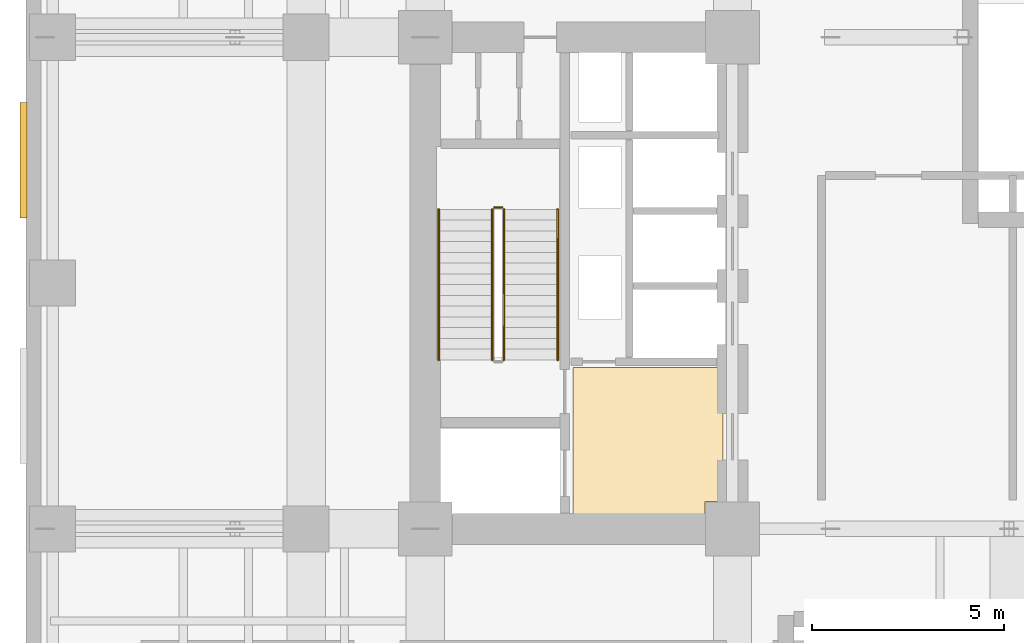
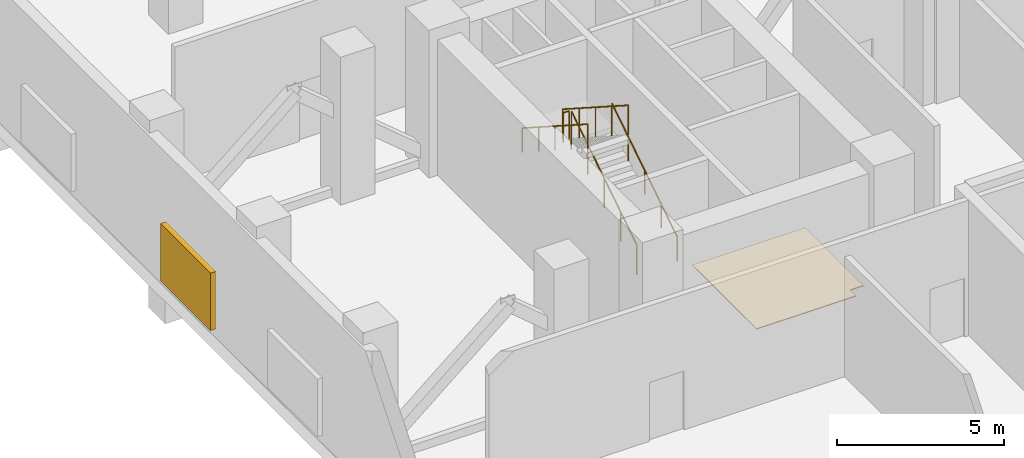
# One storey, part 11 of 13: 5 railings, 1 covering, 1 shading device.
"""IFC4 building model written with IfcOpenShell, lengths in metres."""

from ifc_helpers import new_model, si_unit, direction, frame, origin, origin_2d, place, context, subcontext, project, spatial, polyline, rectangle, circle, outline, extrude, material, layer, layer_set, type_object, element, save


model = new_model("IFC4")

# Units and contexts
model_context = context("Model", 3, precision=1e-05, world=origin(), true_north=direction((0.0, 1.0)))
body_context = subcontext(model_context, "Body", "Model", "MODEL_VIEW")
ifc_project = project(units=[si_unit("LENGTHUNIT", "METRE"), si_unit("AREAUNIT", "SQUARE_METRE"), si_unit("VOLUMEUNIT", "CUBIC_METRE"), si_unit("PLANEANGLEUNIT", "RADIAN"), si_unit("MASSUNIT", "GRAM", prefix="KILO")], contexts=[model_context])

# Site, building, storey
site_placement = place(None, origin())
site = spatial("IfcSite", under=ifc_project, at=site_placement, CompositionType="ELEMENT")
building_placement = place(site_placement, origin())
building = spatial("IfcBuilding", under=site, at=building_placement, Name="Kranthara Brick Stack", CompositionType="ELEMENT")
storey_placement = place(building_placement, frame((0.0, 0.0, 18.89990234375)))
storey = spatial("IfcBuildingStorey", under=building, at=storey_placement, Name="L04", CompositionType="ELEMENT", Elevation=18.89990234375)

# Covering
ifc_material_1 = material(Name="Honed terrazzo and porcelain floor finish", Category="stone")
ifc_layer = layer(ifc_material_1, 0.030029296875)
ifc_layer_set = layer_set([ifc_layer], Name="Honed terrazzo and porcelain floor finish")
covering_type = type_object("IfcCoveringType", Name="COV-FLOR-STONE", PredefinedType="FLOORING", material=ifc_layer_set)
covering_placement = place(storey_placement, origin())
element("IfcCovering", 1, at=covering_placement, inside=storey, type_object=covering_type, Name="L04 Lift Lobby Stone Flooring", PredefinedType="FLOORING", context=body_context, shape_type="SweptSolid", body=[
    extrude(outline(polyline([(16.64990234375, 21.14990234375), (16.64990234375, 25.0), (20.550048828125, 25.0), (20.550048828125, 21.510009765625), (20.090087890625, 21.510009765625), (20.090087890625, 21.14990234375), (16.64990234375, 21.14990234375)])), origin(), (0.0, 0.0, 1.0), 0.030029296875),
])

# Railings
ifc_material_2 = material(Name="Painted galvanized steel stair guardrail", Category="steel")
railing_type_1 = type_object("IfcRailingType", Name="RL-STAIR-GUARD-1100", PredefinedType="GUARDRAIL", material=ifc_material_2)
railing_1_placement = place(storey_placement, frame((14.85009765625, 25.199951171875, 0.18017578125)))
element("IfcRailing", 2, at=railing_1_placement, inside=storey, type_object=railing_type_1, Name="L04 ST01 stair guard 1", PredefinedType="GUARDRAIL", context=body_context, shape_type="SweptSolid", body=[
    extrude(circle(Radius=0.02392578125, at=origin_2d()), frame((0.0, 0.0, 1.076171875), z_axis=(0.0, 0.841186985886, 0.540744352514), x_axis=(-1.0, 0.0, 0.0)), (0.0, 0.0, 1.0), 4.660400390625),
    extrude(circle(Radius=0.02099609375, at=origin_2d()), origin(), (0.0, 0.0, 1.0), 1.052001953125),
    extrude(circle(Radius=0.02099609375, at=origin_2d()), frame((0.0, 0.97998046875, 0.6298828125)), (0.0, 0.0, 1.0), 1.052001953125),
    extrude(circle(Radius=0.02099609375, at=origin_2d()), frame((0.0, 1.9599609375, 1.260009765625)), (0.0, 0.0, 1.0), 1.052001953125),
    extrude(circle(Radius=0.02099609375, at=origin_2d()), frame((0.0, 2.940185546875, 1.89013671875)), (0.0, 0.0, 1.0), 1.052001953125),
    extrude(circle(Radius=0.02099609375, at=origin_2d()), frame((0.0, 3.920166015625, 2.52001953125)), (0.0, 0.0, 1.0), 1.052001953125),
])
railing_2_placement = place(storey_placement, frame((14.800048828125, 29.169921875, 2.7001953125)))
element("IfcRailing", 3, at=railing_2_placement, inside=storey, type_object=railing_type_1, Name="L04 ST01 stair guard 2", PredefinedType="GUARDRAIL", context=body_context, shape_type="SweptSolid", body=[
    extrude(circle(Radius=0.02392578125, at=origin_2d()), frame((0.0, 0.0, 1.076171875), z_axis=(-1.0, 0.0, 0.0), x_axis=(0.0, -1.0, 0.0)), (0.0, 0.0, 1.0), 0.199951171875),
    extrude(circle(Radius=0.02099609375, at=origin_2d()), origin(), (0.0, 0.0, 1.0), 1.052001953125),
    extrude(circle(Radius=0.02099609375, at=origin_2d()), frame((-0.199951171875, 0.0, 0.0)), (0.0, 0.0, 1.0), 1.052001953125),
])
railing_3_placement = place(storey_placement, frame((14.550048828125, 29.1201171875, 2.880126953125)))
element("IfcRailing", 4, at=railing_3_placement, inside=storey, type_object=railing_type_1, Name="L04 ST01 stair guard 3", PredefinedType="GUARDRAIL", context=body_context, shape_type="SweptSolid", body=[
    extrude(circle(Radius=0.02392578125, at=origin_2d()), frame((0.0, 0.0, 1.076171875), z_axis=(0.0, -0.841186985886, 0.540744352514), x_axis=(1.0, 0.0, 0.0)), (0.0, 0.0, 1.0), 4.660400390625),
    extrude(circle(Radius=0.02099609375, at=origin_2d()), origin(), (0.0, 0.0, 1.0), 1.052001953125),
    extrude(circle(Radius=0.02099609375, at=origin_2d()), frame((0.0, -0.97998046875, 0.6298828125)), (0.0, 0.0, 1.0), 1.052001953125),
    extrude(circle(Radius=0.02099609375, at=origin_2d()), frame((0.0, -1.9599609375, 1.260009765625)), (0.0, 0.0, 1.0), 1.052001953125),
    extrude(circle(Radius=0.02099609375, at=origin_2d()), frame((0.0, -2.940185546875, 1.89013671875)), (0.0, 0.0, 1.0), 1.052001953125),
    extrude(circle(Radius=0.02099609375, at=origin_2d()), frame((0.0, -3.920166015625, 2.52001953125)), (0.0, 0.0, 1.0), 1.052001953125),
])
ifc_material_3 = material(Name="Brushed stainless steel tubular handrail", Category="steel")
railing_type_2 = type_object("IfcRailingType", Name="RL-STAIR-HAND-900", PredefinedType="HANDRAIL", material=ifc_material_3)
railing_4_placement = place(storey_placement, frame((16.25, 25.199951171875, 0.18017578125)))
element("IfcRailing", 5, at=railing_4_placement, inside=storey, type_object=railing_type_2, Name="L04 ST01 stair handrail 1", PredefinedType="HANDRAIL", context=body_context, shape_type="SweptSolid", body=[
    extrude(circle(Radius=0.02392578125, at=origin_2d()), frame((0.0, 0.0, 0.8759765625), z_axis=(0.0, 0.841186985886, 0.540744352514), x_axis=(-1.0, 0.0, 0.0)), (0.0, 0.0, 1.0), 4.660400390625),
    extrude(circle(Radius=0.02099609375, at=origin_2d()), origin(), (0.0, 0.0, 1.0), 0.851806640625),
    extrude(circle(Radius=0.02099609375, at=origin_2d()), frame((0.0, 0.97998046875, 0.6298828125)), (0.0, 0.0, 1.0), 0.851806640625),
    extrude(circle(Radius=0.02099609375, at=origin_2d()), frame((0.0, 1.9599609375, 1.260009765625)), (0.0, 0.0, 1.0), 0.851806640625),
    extrude(circle(Radius=0.02099609375, at=origin_2d()), frame((0.0, 2.940185546875, 1.89013671875)), (0.0, 0.0, 1.0), 0.851806640625),
    extrude(circle(Radius=0.02099609375, at=origin_2d()), frame((0.0, 3.920166015625, 2.52001953125)), (0.0, 0.0, 1.0), 0.851806640625),
])
railing_5_placement = place(storey_placement, frame((13.14990234375, 29.1201171875, 2.880126953125)))
element("IfcRailing", 6, at=railing_5_placement, inside=storey, type_object=railing_type_2, Name="L04 ST01 stair handrail 2", PredefinedType="HANDRAIL", context=body_context, shape_type="SweptSolid", body=[
    extrude(circle(Radius=0.02392578125, at=origin_2d()), frame((0.0, 0.0, 0.8759765625), z_axis=(0.0, -0.841186985886, 0.540744352514), x_axis=(1.0, 0.0, 0.0)), (0.0, 0.0, 1.0), 4.660400390625),
    extrude(circle(Radius=0.02099609375, at=origin_2d()), origin(), (0.0, 0.0, 1.0), 0.851806640625),
    extrude(circle(Radius=0.02099609375, at=origin_2d()), frame((0.0, -0.97998046875, 0.6298828125)), (0.0, 0.0, 1.0), 0.851806640625),
    extrude(circle(Radius=0.02099609375, at=origin_2d()), frame((0.0, -1.9599609375, 1.260009765625)), (0.0, 0.0, 1.0), 0.851806640625),
    extrude(circle(Radius=0.02099609375, at=origin_2d()), frame((0.0, -2.940185546875, 1.89013671875)), (0.0, 0.0, 1.0), 0.851806640625),
    extrude(circle(Radius=0.02099609375, at=origin_2d()), frame((0.0, -3.920166015625, 2.52001953125)), (0.0, 0.0, 1.0), 0.851806640625),
])

# Shading device
ifc_material_4 = material(Name="Bronze anodised aluminium acoustic louvre", Category="aluminium")
shading_device_type = type_object("IfcShadingDeviceType", Name="SHD-LOUVRE-PLANT", PredefinedType="JALOUSIE", material=ifc_material_4)
shading_device_placement = place(storey_placement, frame((2.340087890625, 30.39990234375, 0.300048828125), z_axis=(0.0, 0.0, 1.0), x_axis=(0.0, 1.0, 0.0)))
element("IfcShadingDevice", 7, at=shading_device_placement, inside=storey, type_object=shading_device_type, Name="L04 WEST Mechanical Louvre Bank 4", PredefinedType="JALOUSIE", context=body_context, shape_type="SweptSolid", body=[
    extrude(rectangle(XDim=3.0, YDim=0.179931640625, at=origin_2d()), origin(), (0.0, 0.0, 1.0), 2.10009765625),
])

save(model, "model.ifc")
